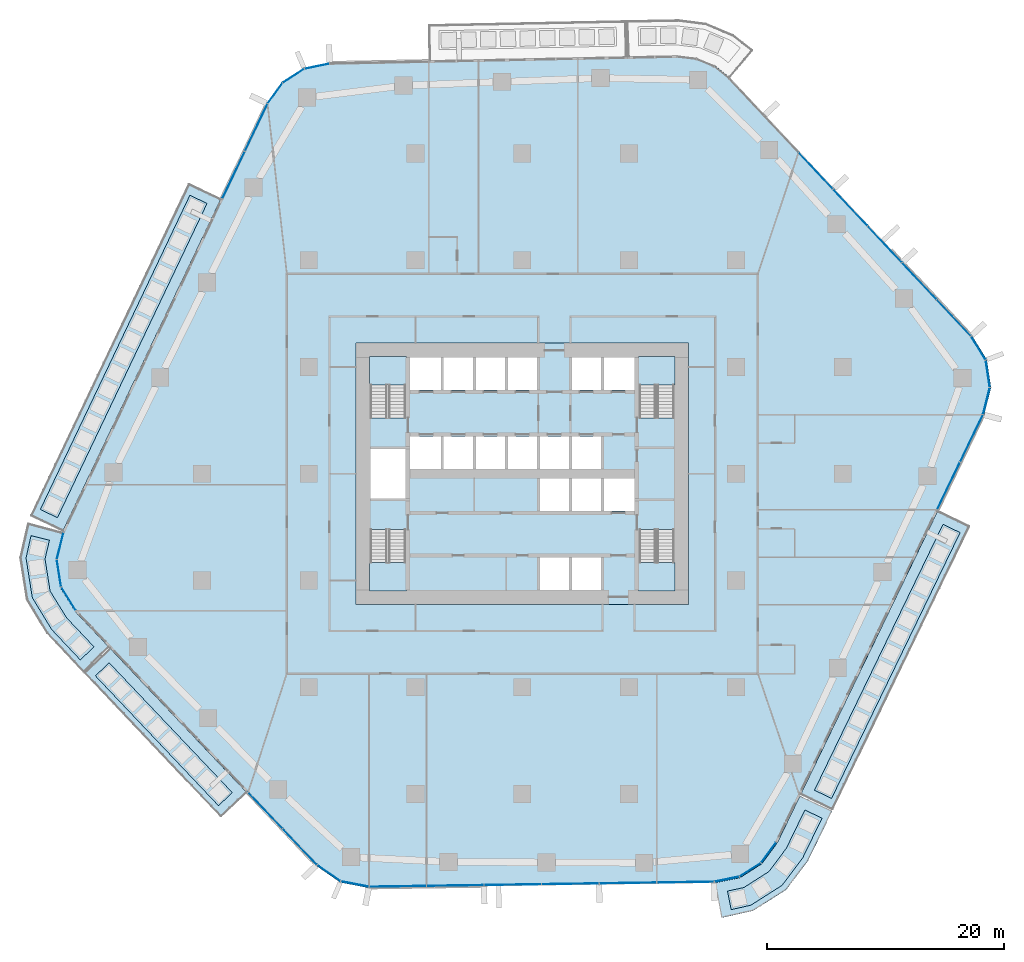
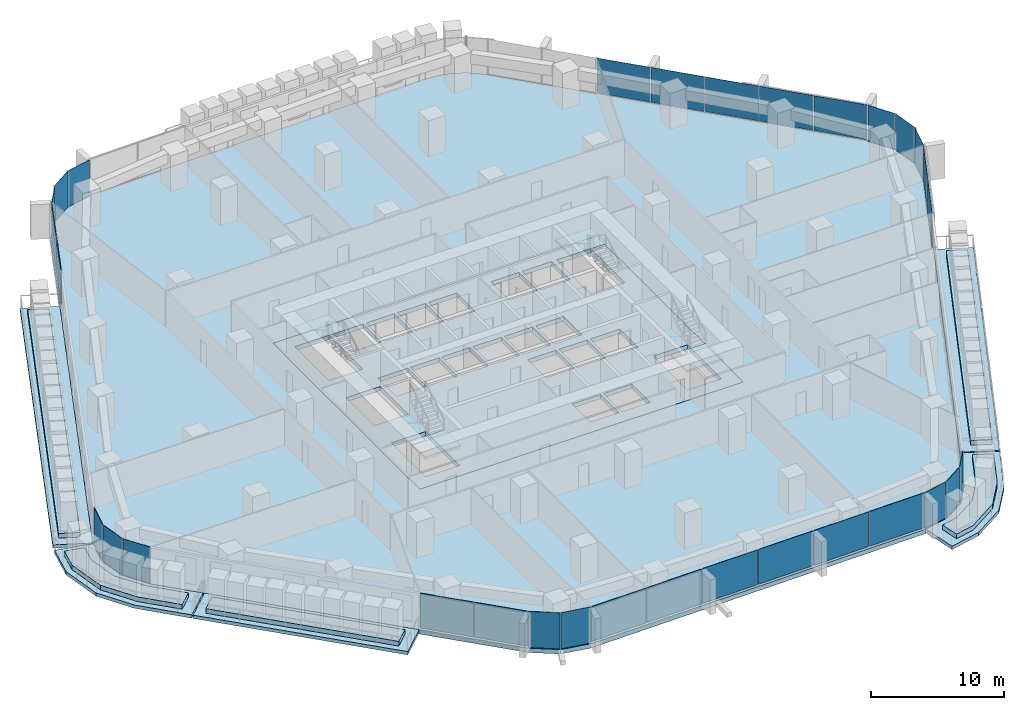
# One storey, part 10 of 24: 31 plates, 16 slabs, 14 elements without a shape of their own.
"""IFC4 building model written with IfcOpenShell, lengths in metres."""

from ifc_helpers import new_model, si_unit, direction, frame, origin, origin_2d, place, context, subcontext, project, spatial, polyline, rectangle, outline, extrude, material, layer, layer_set, type_object, element, aggregate, save


model = new_model("IFC4")

# Units and contexts
model_context = context("Model", 3, precision=1e-05, world=origin(), true_north=direction((0.0, 1.0)))
body_context = subcontext(model_context, "Body", "Model", "MODEL_VIEW")
ifc_project = project(units=[si_unit("LENGTHUNIT", "METRE"), si_unit("AREAUNIT", "SQUARE_METRE"), si_unit("VOLUMEUNIT", "CUBIC_METRE"), si_unit("PLANEANGLEUNIT", "RADIAN"), si_unit("MASSUNIT", "GRAM", prefix="KILO")], contexts=[model_context])

# Site, building, storey
site_placement = place(None, origin())
site = spatial("IfcSite", under=ifc_project, at=site_placement, CompositionType="ELEMENT")
building_placement = place(site_placement, origin())
building = spatial("IfcBuilding", under=site, at=building_placement, Name="Dongbaek Canopy Tower", CompositionType="ELEMENT")
storey_placement = place(building_placement, frame((0.0, 0.0, 47.699951171875)))
storey = spatial("IfcBuildingStorey", under=building, at=storey_placement, Name="L07", CompositionType="ELEMENT", Elevation=47.699951171875)

# Slabs
ifc_material_1 = material(Name="Concrete C40/50", Category="concrete")
ifc_layer_1 = layer(ifc_material_1, 0.300048828125)
ifc_layer_set_1 = layer_set([ifc_layer_1], Name="Balcony slab 300")
slab_type_1 = type_object("IfcSlabType", Name="Balcony slab 300", PredefinedType="FLOOR", material=ifc_layer_set_1)
slab_1_placement = place(storey_placement, frame((0.0, 0.0, -0.300048828125)))
element("IfcSlab", 1, at=slab_1_placement, inside=storey, type_object=slab_type_1, Name="Balcony L07 2", PredefinedType="FLOOR", context=body_context, shape_type="SweptSolid", body=[
    extrude(outline(polyline([(-25.406494140625, 23.166015625), (-38.742919921875, -4.85205078125), (-41.45166015625, -3.5625), (-28.115234375, 24.455322265625), (-25.406494140625, 23.166015625)])), origin(), (0.0, 0.0, 1.0), 0.300048828125),
])
slab_2_placement = place(storey_placement, frame((0.0, 0.0, -0.300048828125)))
element("IfcSlab", 2, at=slab_2_placement, inside=storey, type_object=slab_type_1, Name="Balcony L07 3", PredefinedType="FLOOR", context=body_context, shape_type="SweptSolid", body=[
    extrude(outline(polyline([(-34.761962890625, -14.703125), (-23.21435546875, -26.880615234375), (-25.391357421875, -28.945068359375), (-36.93896484375, -16.767333984375), (-34.761962890625, -14.703125)])), origin(), (0.0, 0.0, 1.0), 0.300048828125),
])
slab_3_placement = place(storey_placement, frame((0.0, 0.0, -0.300048828125)))
element("IfcSlab", 3, at=slab_3_placement, inside=storey, type_object=slab_type_1, Name="Balcony L07 6", PredefinedType="FLOOR", context=body_context, shape_type="SweptSolid", body=[
    extrude(outline(polyline([(-38.7763671875, -4.945556640625), (-39.341064453125, -7.216552734375), (-38.966796875, -9.5771484375), (-37.700439453125, -11.6044921875), (-34.830810546875, -14.630615234375), (-37.0078125, -16.69482421875), (-40.072998046875, -13.4404296875), (-41.77685546875, -10.6279296875), (-42.33837890625, -7.0869140625), (-41.687744140625, -4.2216796875), (-38.7763671875, -4.945556640625)])), origin(), (0.0, 0.0, 1.0), 0.300048828125),
])
slab_4_placement = place(storey_placement, frame((0.0, 0.0, -0.300048828125)))
element("IfcSlab", 4, at=slab_4_placement, inside=storey, type_object=slab_type_1, Name="Balcony L07 4", PredefinedType="FLOOR", context=body_context, shape_type="SweptSolid", body=[
    extrude(outline(polyline([(23.449462890625, -27.0498046875), (35.02197265625, -3.111572265625), (37.722900390625, -4.41748046875), (26.150390625, -28.35546875), (23.449462890625, -27.0498046875)])), origin(), (0.0, 0.0, 1.0), 0.300048828125),
])
slab_5_placement = place(storey_placement, frame((0.0, 0.0, -0.300048828125)))
element("IfcSlab", 5, at=slab_5_placement, inside=storey, type_object=slab_type_1, Name="Balcony L07 7", PredefinedType="FLOOR", context=body_context, shape_type="SweptSolid", body=[
    extrude(outline(polyline([(16.2265625, -34.4775390625), (18.333251953125, -34.052734375), (20.187744140625, -32.870361328125), (21.49169921875, -31.099365234375), (23.406005859375, -27.1396484375), (26.10693359375, -28.445556640625), (24.06103515625, -32.648193359375), (22.23681640625, -35.061767578125), (19.455078125, -36.8349609375), (16.8193359375, -37.418212890625), (16.2265625, -34.4775390625)])), origin(), (0.0, 0.0, 1.0), 0.300048828125),
])

# Curtain wall, plates
ifc_material_2 = material(Name="Aluminium 6063-T6 pale anodised", Category="aluminium")
ifc_layer_2 = layer(ifc_material_2, 0.199951171875)
ifc_layer_set_2 = layer_set([ifc_layer_2], Name="CW-1 unitised tower curtain wall")
curtain_wall_type = type_object("IfcCurtainWallType", Name="CW-1 unitised tower curtain wall", PredefinedType="NOTDEFINED", material=ifc_layer_set_2)
curtain_wall_1_placement = place(storey_placement, origin())
curtain_wall_1 = element("IfcCurtainWall", 6, at=curtain_wall_1_placement, inside=storey, type_object=curtain_wall_type, Name="CW-1 curtain wall K0.1", PredefinedType="NOTDEFINED")
ifc_material_3 = material(Name="Clear laminated glass", Category="glass")
ifc_layer_3 = layer(ifc_material_3, 0.028076171875)
ifc_layer_set_3 = layer_set([ifc_layer_3], Name="CW-1 glazed panel 28")
plate_type = type_object("IfcPlateType", Name="CW-1 glazed panel 28", PredefinedType="CURTAIN_PANEL", material=ifc_layer_set_3)
plate_1_placement = place(storey_placement, frame((39.113037109375, 6.12109375, 0.0), z_axis=(0.0, 0.0, 1.0), x_axis=(0.247106006298, 0.968988452796, 0.0)))
plate_1 = element("IfcPlate", 7, at=plate_1_placement, type_object=plate_type, Name="CW-1 panel K0.1.1.1", PredefinedType="CURTAIN_PANEL", context=body_context, shape_type="SweptSolid", body=[
    extrude(rectangle(XDim=2.27685546875, YDim=0.028076171875, at=origin_2d()), origin(), (0.0, 0.0, 1.0), 3.300048828125),
])
plate_2_placement = place(storey_placement, frame((39.227294921875, 8.4267578125, 0.0), z_axis=(0.0, 0.0, 1.0), x_axis=(-0.150963855925, 0.988539283086, 0.0)))
plate_2 = element("IfcPlate", 8, at=plate_2_placement, type_object=plate_type, Name="CW-1 panel K0.1.2.1", PredefinedType="CURTAIN_PANEL", context=body_context, shape_type="SweptSolid", body=[
    extrude(rectangle(XDim=2.2666015625, YDim=0.028076171875, at=origin_2d()), origin(), (0.0, 0.0, 1.0), 3.300048828125),
])
plate_3_placement = place(storey_placement, frame((38.43017578125, 10.59326171875, 0.0), z_axis=(0.0, 0.0, 1.0), x_axis=(-0.525054339964, 0.851068704679, 0.0)))
plate_3 = element("IfcPlate", 9, at=plate_3_placement, type_object=plate_type, Name="CW-1 panel K0.1.3.1", PredefinedType="CURTAIN_PANEL", context=body_context, shape_type="SweptSolid", body=[
    extrude(rectangle(XDim=2.27685546875, YDim=0.028076171875, at=origin_2d()), origin(), (0.0, 0.0, 1.0), 3.300048828125),
])
aggregate(curtain_wall_1, [plate_1, plate_2, plate_3])

curtain_wall_2_placement = place(storey_placement, origin())
curtain_wall_2 = element("IfcCurtainWall", 10, at=curtain_wall_2_placement, inside=storey, type_object=curtain_wall_type, Name="CW-1 curtain wall F0.1", PredefinedType="NOTDEFINED")
plate_4_placement = place(storey_placement, frame((36.3603515625, 13.143798828125, 0.1201171875), z_axis=(0.0, 0.0, 1.0), x_axis=(-0.684120242484, 0.729369243815, 0.0)))
plate_4 = element("IfcPlate", 11, at=plate_4_placement, type_object=plate_type, Name="CW-1 panel F0.1.1.1", PredefinedType="CURTAIN_PANEL", context=body_context, shape_type="SweptSolid", body=[
    extrude(rectangle(XDim=4.15478515625, YDim=0.028076171875, at=origin_2d()), origin(), (0.0, 0.0, 1.0), 3.179931640625),
])
plate_5_placement = place(storey_placement, frame((33.45703125, 16.239013671875, 0.1201171875), z_axis=(0.0, 0.0, 1.0), x_axis=(-0.684120242484, 0.729369243815, 0.0)))
plate_5 = element("IfcPlate", 12, at=plate_5_placement, type_object=plate_type, Name="CW-1 panel F0.1.2.1", PredefinedType="CURTAIN_PANEL", context=body_context, shape_type="SweptSolid", body=[
    extrude(rectangle(XDim=4.164794921875, YDim=0.028076171875, at=origin_2d()), origin(), (0.0, 0.0, 1.0), 3.179931640625),
])
plate_6_placement = place(storey_placement, frame((30.55029296875, 19.338134765625, 0.1201171875), z_axis=(0.0, 0.0, 1.0), x_axis=(-0.684120242484, 0.729369243815, 0.0)))
plate_6 = element("IfcPlate", 13, at=plate_6_placement, type_object=plate_type, Name="CW-1 panel F0.1.3.1", PredefinedType="CURTAIN_PANEL", context=body_context, shape_type="SweptSolid", body=[
    extrude(rectangle(XDim=4.164794921875, YDim=0.028076171875, at=origin_2d()), origin(), (0.0, 0.0, 1.0), 3.179931640625),
])
plate_7_placement = place(storey_placement, frame((27.6435546875, 22.43701171875, 0.1201171875), z_axis=(0.0, 0.0, 1.0), x_axis=(-0.684120242484, 0.729369243815, 0.0)))
plate_7 = element("IfcPlate", 14, at=plate_7_placement, type_object=plate_type, Name="CW-1 panel F0.1.4.1", PredefinedType="CURTAIN_PANEL", context=body_context, shape_type="SweptSolid", body=[
    extrude(rectangle(XDim=4.164794921875, YDim=0.028076171875, at=origin_2d()), origin(), (0.0, 0.0, 1.0), 3.179931640625),
])
plate_8_placement = place(storey_placement, frame((24.73681640625, 25.5361328125, 0.1201171875), z_axis=(0.0, 0.0, 1.0), x_axis=(-0.684120242484, 0.729369243815, 0.0)))
plate_8 = element("IfcPlate", 15, at=plate_8_placement, type_object=plate_type, Name="CW-1 panel F0.1.5.1", PredefinedType="CURTAIN_PANEL", context=body_context, shape_type="SweptSolid", body=[
    extrude(rectangle(XDim=4.164794921875, YDim=0.028076171875, at=origin_2d()), origin(), (0.0, 0.0, 1.0), 3.179931640625),
])
aggregate(curtain_wall_2, [plate_4, plate_5, plate_6, plate_7, plate_8])

curtain_wall_3_placement = place(storey_placement, origin())
curtain_wall_3 = element("IfcCurtainWall", 16, at=curtain_wall_3_placement, inside=storey, type_object=curtain_wall_type, Name="CW-1 curtain wall K2.1", PredefinedType="NOTDEFINED")
plate_9_placement = place(storey_placement, frame((-17.31689453125, 34.341796875, 0.0), z_axis=(0.0, 0.0, 1.0), x_axis=(-0.979190682113, -0.202942376216, 0.0)))
plate_9 = element("IfcPlate", 17, at=plate_9_placement, type_object=plate_type, Name="CW-1 panel K2.1.1.1", PredefinedType="CURTAIN_PANEL", context=body_context, shape_type="SweptSolid", body=[
    extrude(rectangle(XDim=2.0888671875, YDim=0.028076171875, at=origin_2d()), origin(), (0.0, 0.0, 1.0), 3.300048828125),
])
plate_10_placement = place(storey_placement, frame((-19.289306640625, 33.53466796875, 0.0), z_axis=(0.0, 0.0, 1.0), x_axis=(-0.840152741628, -0.542349860086, 0.0)))
plate_10 = element("IfcPlate", 18, at=plate_10_placement, type_object=plate_type, Name="CW-1 panel K2.1.2.1", PredefinedType="CURTAIN_PANEL", context=body_context, shape_type="SweptSolid", body=[
    extrude(rectangle(XDim=2.079345703125, YDim=0.028076171875, at=origin_2d()), origin(), (0.0, 0.0, 1.0), 3.300048828125),
])
plate_11_placement = place(storey_placement, frame((-20.837158203125, 32.0693359375, 0.0), z_axis=(0.0, 0.0, 1.0), x_axis=(-0.58808990222, -0.808795565583, 0.0)))
plate_11 = element("IfcPlate", 19, at=plate_11_placement, type_object=plate_type, Name="CW-1 panel K2.1.3.1", PredefinedType="CURTAIN_PANEL", context=body_context, shape_type="SweptSolid", body=[
    extrude(rectangle(XDim=2.0888671875, YDim=0.028076171875, at=origin_2d()), origin(), (0.0, 0.0, 1.0), 3.300048828125),
])
aggregate(curtain_wall_3, [plate_9, plate_10, plate_11])

curtain_wall_4_placement = place(storey_placement, origin())
curtain_wall_4 = element("IfcCurtainWall", 20, at=curtain_wall_4_placement, inside=storey, type_object=curtain_wall_type, Name="CW-1 curtain wall F2.1", PredefinedType="NOTDEFINED")
plate_12_placement = place(storey_placement, frame((-22.4296875, 29.18701171875, 0.1201171875), z_axis=(0.0, 0.0, 1.0), x_axis=(-0.429790128796, -0.902928815129, 0.0)))
plate_12 = element("IfcPlate", 21, at=plate_12_placement, type_object=plate_type, Name="CW-1 panel F2.1.1.1", PredefinedType="CURTAIN_PANEL", context=body_context, shape_type="SweptSolid", body=[
    extrude(rectangle(XDim=4.35400390625, YDim=0.028076171875, at=origin_2d()), origin(), (0.0, 0.0, 1.0), 3.179931640625),
])
plate_13_placement = place(storey_placement, frame((-24.339111328125, 25.17578125, 0.1201171875), z_axis=(0.0, 0.0, 1.0), x_axis=(-0.429790128796, -0.902928815129, 0.0)))
plate_13 = element("IfcPlate", 22, at=plate_13_placement, type_object=plate_type, Name="CW-1 panel F2.1.2.1", PredefinedType="CURTAIN_PANEL", context=body_context, shape_type="SweptSolid", body=[
    extrude(rectangle(XDim=4.363037109375, YDim=0.028076171875, at=origin_2d()), origin(), (0.0, 0.0, 1.0), 3.179931640625),
])
aggregate(curtain_wall_4, [plate_12, plate_13])

curtain_wall_5_placement = place(storey_placement, origin())
curtain_wall_5 = element("IfcCurtainWall", 23, at=curtain_wall_5_placement, inside=storey, type_object=curtain_wall_type, Name="CW-1 curtain wall K3.1", PredefinedType="NOTDEFINED")
plate_14_placement = place(storey_placement, frame((-38.954345703125, -6.075927734375, 0.0), z_axis=(0.0, 0.0, 1.0), x_axis=(-0.241335352072, -0.970441779727, 0.0)))
plate_14 = element("IfcPlate", 24, at=plate_14_placement, type_object=plate_type, Name="CW-1 panel K3.1.1.1", PredefinedType="CURTAIN_PANEL", context=body_context, shape_type="SweptSolid", body=[
    extrude(rectangle(XDim=2.275634765625, YDim=0.028076171875, at=origin_2d()), origin(), (0.0, 0.0, 1.0), 3.300048828125),
])
plate_15_placement = place(storey_placement, frame((-39.05517578125, -8.38134765625, 0.0), z_axis=(0.0, 0.0, 1.0), x_axis=(0.156647905474, -0.98765451131, 0.0)))
plate_15 = element("IfcPlate", 25, at=plate_15_placement, type_object=plate_type, Name="CW-1 panel K3.1.2.1", PredefinedType="CURTAIN_PANEL", context=body_context, shape_type="SweptSolid", body=[
    extrude(rectangle(XDim=2.265380859375, YDim=0.028076171875, at=origin_2d()), origin(), (0.0, 0.0, 1.0), 3.300048828125),
])
plate_16_placement = place(storey_placement, frame((-38.24609375, -10.542236328125, 0.0), z_axis=(0.0, 0.0, 1.0), x_axis=(0.52977318447, -0.848139359431, 0.0)))
plate_16 = element("IfcPlate", 26, at=plate_16_placement, type_object=plate_type, Name="CW-1 panel K3.1.3.1", PredefinedType="CURTAIN_PANEL", context=body_context, shape_type="SweptSolid", body=[
    extrude(rectangle(XDim=2.275634765625, YDim=0.028076171875, at=origin_2d()), origin(), (0.0, 0.0, 1.0), 3.300048828125),
])
aggregate(curtain_wall_5, [plate_14, plate_15, plate_16])

curtain_wall_6_placement = place(storey_placement, origin())
curtain_wall_6 = element("IfcCurtainWall", 27, at=curtain_wall_6_placement, inside=storey, type_object=curtain_wall_type, Name="CW-1 curtain wall F3.1", PredefinedType="NOTDEFINED")
plate_17_placement = place(storey_placement, frame((-21.655517578125, -28.37939453125, 0.1201171875), z_axis=(0.0, 0.0, 1.0), x_axis=(0.688088738098, -0.725626548924, 0.0)))
plate_17 = element("IfcPlate", 28, at=plate_17_placement, type_object=plate_type, Name="CW-1 panel F3.1.1.1", PredefinedType="CURTAIN_PANEL", context=body_context, shape_type="SweptSolid", body=[
    extrude(rectangle(XDim=4.136474609375, YDim=0.028076171875, at=origin_2d()), origin(), (0.0, 0.0, 1.0), 3.179931640625),
])
plate_18_placement = place(storey_placement, frame((-18.7548828125, -31.438232421875, 0.1201171875), z_axis=(0.0, 0.0, 1.0), x_axis=(0.688088738098, -0.725626548924, 0.0)))
plate_18 = element("IfcPlate", 29, at=plate_18_placement, type_object=plate_type, Name="CW-1 panel F3.1.2.1", PredefinedType="CURTAIN_PANEL", context=body_context, shape_type="SweptSolid", body=[
    extrude(rectangle(XDim=4.126220703125, YDim=0.028076171875, at=origin_2d()), origin(), (0.0, 0.0, 1.0), 3.179931640625),
])
aggregate(curtain_wall_6, [plate_17, plate_18])

curtain_wall_7_placement = place(storey_placement, origin())
curtain_wall_7 = element("IfcCurtainWall", 30, at=curtain_wall_7_placement, inside=storey, type_object=curtain_wall_type, Name="CW-1 curtain wall K4.1", PredefinedType="NOTDEFINED")
plate_19_placement = place(storey_placement, frame((-16.306884765625, -33.6572265625, 0.0), z_axis=(0.0, 0.0, 1.0), x_axis=(0.822329407338, -0.569011727319, 0.0)))
plate_19 = element("IfcPlate", 31, at=plate_19_placement, type_object=plate_type, Name="CW-1 panel K4.1.1.1", PredefinedType="CURTAIN_PANEL", context=body_context, shape_type="SweptSolid", body=[
    extrude(rectangle(XDim=2.3466796875, YDim=0.028076171875, at=origin_2d()), origin(), (0.0, 0.0, 1.0), 3.300048828125),
])
plate_20_placement = place(storey_placement, frame((-14.114501953125, -34.580810546875, 0.0), z_axis=(0.0, 0.0, 1.0), x_axis=(0.981620425648, -0.190843757955, 0.0)))
plate_20 = element("IfcPlate", 32, at=plate_20_placement, type_object=plate_type, Name="CW-1 panel K4.1.2.1", PredefinedType="CURTAIN_PANEL", context=body_context, shape_type="SweptSolid", body=[
    extrude(rectangle(XDim=2.3466796875, YDim=0.028076171875, at=origin_2d()), origin(), (0.0, 0.0, 1.0), 3.300048828125),
])
aggregate(curtain_wall_7, [plate_19, plate_20])

curtain_wall_8_placement = place(storey_placement, origin())
curtain_wall_8 = element("IfcCurtainWall", 33, at=curtain_wall_8_placement, inside=storey, type_object=curtain_wall_type, Name="CW-1 curtain wall F4.1", PredefinedType="NOTDEFINED")
plate_21_placement = place(storey_placement, frame((-10.5009765625, -34.77734375, 0.1201171875), z_axis=(0.0, 0.0, 1.0), x_axis=(0.999893139462, 0.014618811778, 0.0)))
plate_21 = element("IfcPlate", 34, at=plate_21_placement, type_object=plate_type, Name="CW-1 panel F4.1.1.1", PredefinedType="CURTAIN_PANEL", context=body_context, shape_type="SweptSolid", body=[
    extrude(rectangle(XDim=4.757568359375, YDim=0.028076171875, at=origin_2d()), origin(), (0.0, 0.0, 1.0), 3.179931640625),
])
plate_22_placement = place(storey_placement, frame((-5.65478515625, -34.70654296875, 0.1201171875), z_axis=(0.0, 0.0, 1.0), x_axis=(0.999893139462, 0.014618811778, 0.0)))
plate_22 = element("IfcPlate", 35, at=plate_22_placement, type_object=plate_type, Name="CW-1 panel F4.1.2.1", PredefinedType="CURTAIN_PANEL", context=body_context, shape_type="SweptSolid", body=[
    extrude(rectangle(XDim=4.767822265625, YDim=0.028076171875, at=origin_2d()), origin(), (0.0, 0.0, 1.0), 3.179931640625),
])
plate_23_placement = place(storey_placement, frame((-0.803466796875, -34.635498046875, 0.1201171875), z_axis=(0.0, 0.0, 1.0), x_axis=(0.999893139462, 0.014618811778, 0.0)))
plate_23 = element("IfcPlate", 36, at=plate_23_placement, type_object=plate_type, Name="CW-1 panel F4.1.3.1", PredefinedType="CURTAIN_PANEL", context=body_context, shape_type="SweptSolid", body=[
    extrude(rectangle(XDim=4.767822265625, YDim=0.028076171875, at=origin_2d()), origin(), (0.0, 0.0, 1.0), 3.179931640625),
])
plate_24_placement = place(storey_placement, frame((4.0478515625, -34.564697265625, 0.1201171875), z_axis=(0.0, 0.0, 1.0), x_axis=(0.999893139462, 0.014618811778, 0.0)))
plate_24 = element("IfcPlate", 37, at=plate_24_placement, type_object=plate_type, Name="CW-1 panel F4.1.4.1", PredefinedType="CURTAIN_PANEL", context=body_context, shape_type="SweptSolid", body=[
    extrude(rectangle(XDim=4.767822265625, YDim=0.028076171875, at=origin_2d()), origin(), (0.0, 0.0, 1.0), 3.179931640625),
])
plate_25_placement = place(storey_placement, frame((8.899169921875, -34.49365234375, 0.1201171875), z_axis=(0.0, 0.0, 1.0), x_axis=(0.999893139462, 0.014618811778, 0.0)))
plate_25 = element("IfcPlate", 38, at=plate_25_placement, type_object=plate_type, Name="CW-1 panel F4.1.5.1", PredefinedType="CURTAIN_PANEL", context=body_context, shape_type="SweptSolid", body=[
    extrude(rectangle(XDim=4.767822265625, YDim=0.028076171875, at=origin_2d()), origin(), (0.0, 0.0, 1.0), 3.179931640625),
])
plate_26_placement = place(storey_placement, frame((13.745849609375, -34.4228515625, 0.1201171875), z_axis=(0.0, 0.0, 1.0), x_axis=(0.999893139462, 0.014618811778, 0.0)))
plate_26 = element("IfcPlate", 39, at=plate_26_placement, type_object=plate_type, Name="CW-1 panel F4.1.6.1", PredefinedType="CURTAIN_PANEL", context=body_context, shape_type="SweptSolid", body=[
    extrude(rectangle(XDim=4.758544921875, YDim=0.028076171875, at=origin_2d()), origin(), (0.0, 0.0, 1.0), 3.179931640625),
])
aggregate(curtain_wall_8, [plate_21, plate_22, plate_23, plate_24, plate_25, plate_26])

curtain_wall_9_placement = place(storey_placement, origin())
curtain_wall_9 = element("IfcCurtainWall", 40, at=curtain_wall_9_placement, inside=storey, type_object=curtain_wall_type, Name="CW-1 curtain wall K5.1", PredefinedType="NOTDEFINED")
plate_27_placement = place(storey_placement, frame((17.23095703125, -34.1728515625, 0.0), z_axis=(0.0, 0.0, 1.0), x_axis=(0.980278506485, 0.19762097491, 0.0)))
plate_27 = element("IfcPlate", 41, at=plate_27_placement, type_object=plate_type, Name="CW-1 panel K5.1.1.1", PredefinedType="CURTAIN_PANEL", context=body_context, shape_type="SweptSolid", body=[
    extrude(rectangle(XDim=2.08740234375, YDim=0.028076171875, at=origin_2d()), origin(), (0.0, 0.0, 1.0), 3.300048828125),
])
plate_28_placement = place(storey_placement, frame((19.206787109375, -33.377197265625, 0.0), z_axis=(0.0, 0.0, 1.0), x_axis=(0.843219122393, 0.53757000626, 0.0)))
plate_28 = element("IfcPlate", 42, at=plate_28_placement, type_object=plate_type, Name="CW-1 panel K5.1.2.1", PredefinedType="CURTAIN_PANEL", context=body_context, shape_type="SweptSolid", body=[
    extrude(rectangle(XDim=2.077880859375, YDim=0.028076171875, at=origin_2d()), origin(), (0.0, 0.0, 1.0), 3.300048828125),
])
plate_29_placement = place(storey_placement, frame((20.761962890625, -31.921875, 0.0), z_axis=(0.0, 0.0, 1.0), x_axis=(0.592872727538, 0.805296174673, 0.0)))
plate_29 = element("IfcPlate", 43, at=plate_29_placement, type_object=plate_type, Name="CW-1 panel K5.1.3.1", PredefinedType="CURTAIN_PANEL", context=body_context, shape_type="SweptSolid", body=[
    extrude(rectangle(XDim=2.08740234375, YDim=0.028076171875, at=origin_2d()), origin(), (0.0, 0.0, 1.0), 3.300048828125),
])
aggregate(curtain_wall_9, [plate_27, plate_28, plate_29])

curtain_wall_10_placement = place(storey_placement, origin())
curtain_wall_10 = element("IfcCurtainWall", 44, at=curtain_wall_10_placement, inside=storey, type_object=curtain_wall_type, Name="CW-1 curtain wall F5.1", PredefinedType="NOTDEFINED")
plate_30_placement = place(storey_placement, frame((35.921630859375, -1.020751953125, 0.1201171875), z_axis=(0.0, 0.0, 1.0), x_axis=(0.435244979817, 0.900312061201, 0.0)))
plate_30 = element("IfcPlate", 45, at=plate_30_placement, type_object=plate_type, Name="CW-1 panel F5.1.1.1", PredefinedType="CURTAIN_PANEL", context=body_context, shape_type="SweptSolid", body=[
    extrude(rectangle(XDim=4.364013671875, YDim=0.028076171875, at=origin_2d()), origin(), (0.0, 0.0, 1.0), 3.179931640625),
])
plate_31_placement = place(storey_placement, frame((37.85546875, 2.9794921875, 0.1201171875), z_axis=(0.0, 0.0, 1.0), x_axis=(0.435244979817, 0.900312061201, 0.0)))
plate_31 = element("IfcPlate", 46, at=plate_31_placement, type_object=plate_type, Name="CW-1 panel F5.1.2.1", PredefinedType="CURTAIN_PANEL", context=body_context, shape_type="SweptSolid", body=[
    extrude(rectangle(XDim=4.35400390625, YDim=0.028076171875, at=origin_2d()), origin(), (0.0, 0.0, 1.0), 3.179931640625),
])
aggregate(curtain_wall_10, [plate_30, plate_31])

# Slab
ifc_material_4 = material(Name="Concrete C40/50", Category="concrete")
ifc_layer_4 = layer(ifc_material_4, 0.39990234375)
ifc_layer_set_4 = layer_set([ifc_layer_4], Name="Core floor slab 400 Concrete C40/50")
slab_type_2 = type_object("IfcSlabType", Name="Core floor slab 400 Concrete C40/50", PredefinedType="FLOOR", material=ifc_layer_set_4)
slab_6_placement = place(storey_placement, frame((0.0, 0.0, -0.39990234375)))
element("IfcSlab", 47, at=slab_6_placement, inside=storey, type_object=slab_type_2, Name="Core floor slab L07", PredefinedType="FLOOR", context=body_context, shape_type="SweptSolid", body=[
    extrude(outline(polyline([(14.0, -11.0), (14.0, 11.0), (-14.0, 11.0), (-14.0, -11.0), (14.0, -11.0)]), holes=[polyline([(-12.800048828125, 2.10009765625), (-9.85009765625, 2.10009765625), (-9.85009765625, -2.10009765625), (-12.800048828125, -2.10009765625), (-12.800048828125, 2.10009765625)]), polyline([(-6.875, 9.800048828125), (-6.875, 7.074951171875), (-9.449951171875, 7.074951171875), (-9.449951171875, 9.800048828125), (-6.875, 9.800048828125)]), polyline([(-4.175048828125, 9.800048828125), (-4.175048828125, 7.074951171875), (-6.625, 7.074951171875), (-6.625, 9.800048828125), (-4.175048828125, 9.800048828125)]), polyline([(-1.47509765625, 9.800048828125), (-1.47509765625, 7.074951171875), (-3.925048828125, 7.074951171875), (-3.925048828125, 9.800048828125), (-1.47509765625, 9.800048828125)]), polyline([(1.22509765625, 9.800048828125), (1.22509765625, 7.074951171875), (-1.22509765625, 7.074951171875), (-1.22509765625, 9.800048828125), (1.22509765625, 9.800048828125)]), polyline([(6.625, 9.800048828125), (6.625, 7.074951171875), (4.175048828125, 7.074951171875), (4.175048828125, 9.800048828125), (6.625, 9.800048828125)]), polyline([(9.449951171875, 7.074951171875), (6.875, 7.074951171875), (6.875, 9.800048828125), (9.449951171875, 9.800048828125), (9.449951171875, 7.074951171875)]), polyline([(-9.449951171875, 3.125), (-6.875, 3.125), (-6.875, 0.39990234375), (-9.449951171875, 0.39990234375), (-9.449951171875, 3.125)]), polyline([(-6.625, 3.125), (-4.175048828125, 3.125), (-4.175048828125, 0.39990234375), (-6.625, 0.39990234375), (-6.625, 3.125)]), polyline([(-3.925048828125, 3.125), (-1.47509765625, 3.125), (-1.47509765625, 0.39990234375), (-3.925048828125, 0.39990234375), (-3.925048828125, 3.125)]), polyline([(-1.22509765625, 3.125), (1.22509765625, 3.125), (1.22509765625, 0.39990234375), (-1.22509765625, 0.39990234375), (-1.22509765625, 3.125)]), polyline([(1.47509765625, 0.39990234375), (1.47509765625, 3.125), (3.925048828125, 3.125), (3.925048828125, 0.39990234375), (1.47509765625, 0.39990234375)]), polyline([(4.175048828125, 0.39990234375), (4.175048828125, 3.125), (6.625, 3.125), (6.625, 0.39990234375), (4.175048828125, 0.39990234375)]), polyline([(3.925048828125, -0.39990234375), (3.925048828125, -3.125), (1.47509765625, -3.125), (1.47509765625, -0.39990234375), (3.925048828125, -0.39990234375)]), polyline([(6.625, -0.39990234375), (6.625, -3.125), (4.175048828125, -3.125), (4.175048828125, -0.39990234375), (6.625, -0.39990234375)]), polyline([(9.449951171875, -3.125), (6.875, -3.125), (6.875, -0.39990234375), (9.449951171875, -0.39990234375), (9.449951171875, -3.125)]), polyline([(1.47509765625, -9.800048828125), (1.47509765625, -7.074951171875), (3.925048828125, -7.074951171875), (3.925048828125, -9.800048828125), (1.47509765625, -9.800048828125)]), polyline([(4.175048828125, -9.800048828125), (4.175048828125, -7.074951171875), (6.625, -7.074951171875), (6.625, -9.800048828125), (4.175048828125, -9.800048828125)]), polyline([(12.800048828125, 4.70068359375), (12.800048828125, 9.800048828125), (9.85009765625, 9.800048828125), (9.85009765625, 4.70068359375), (12.800048828125, 4.70068359375)]), polyline([(-9.85009765625, 4.70068359375), (-9.85009765625, 9.800048828125), (-12.800048828125, 9.800048828125), (-12.800048828125, 4.70068359375), (-9.85009765625, 4.70068359375)]), polyline([(9.85009765625, -4.70068359375), (9.85009765625, -9.800048828125), (12.800048828125, -9.800048828125), (12.800048828125, -4.70068359375), (9.85009765625, -4.70068359375)]), polyline([(-12.800048828125, -4.70068359375), (-12.800048828125, -9.800048828125), (-9.85009765625, -9.800048828125), (-9.85009765625, -4.70068359375), (-12.800048828125, -4.70068359375)])]), origin(), (0.0, 0.0, 1.0), 0.39990234375),
])

# Stair, slab
ifc_material_5 = material(Name="Concrete C40/50", Category="concrete")
stair_type = type_object("IfcStairType", Name="Core exit stair", PredefinedType="HALF_TURN_STAIR", material=ifc_material_5)
stair_1_placement = place(storey_placement, origin())
stair_1 = element("IfcStair", 48, at=stair_1_placement, inside=storey, type_object=stair_type, Name="L07 exit stair A", PredefinedType="HALF_TURN_STAIR")
ifc_material_6 = material(Name="Concrete C40/50", Category="concrete")
ifc_layer_5 = layer(ifc_material_6, 0.199951171875)
ifc_layer_set_5 = layer_set([ifc_layer_5], Name="Core stair landing 200")
slab_type_3 = type_object("IfcSlabType", Name="Core stair landing 200", PredefinedType="LANDING", material=ifc_layer_set_5)
slab_7_placement = place(storey_placement, frame((0.0, 0.0, 1.650146484375)))
slab_7 = element("IfcSlab", 49, at=slab_7_placement, type_object=slab_type_3, Name="ST-A landing 1", PredefinedType="LANDING", context=body_context, shape_type="SweptSolid", body=[
    extrude(outline(polyline([(12.875, 7.5), (12.875, 9.875), (9.77490234375, 9.875), (9.77490234375, 7.5), (12.875, 7.5)])), origin(), (0.0, 0.0, 1.0), 0.199951171875),
])
aggregate(stair_1, [slab_7])

stair_2_placement = place(storey_placement, origin())
stair_2 = element("IfcStair", 50, at=stair_2_placement, inside=storey, type_object=stair_type, Name="L07 exit stair C", PredefinedType="HALF_TURN_STAIR")
slab_8_placement = place(storey_placement, frame((0.0, 0.0, 1.650146484375)))
slab_8 = element("IfcSlab", 51, at=slab_8_placement, type_object=slab_type_3, Name="ST-C landing 1", PredefinedType="LANDING", context=body_context, shape_type="SweptSolid", body=[
    extrude(outline(polyline([(-9.77490234375, 7.5), (-9.77490234375, 9.875), (-12.875, 9.875), (-12.875, 7.5), (-9.77490234375, 7.5)])), origin(), (0.0, 0.0, 1.0), 0.199951171875),
])
aggregate(stair_2, [slab_8])

stair_3_placement = place(storey_placement, origin())
stair_3 = element("IfcStair", 52, at=stair_3_placement, inside=storey, type_object=stair_type, Name="L07 exit stair B", PredefinedType="HALF_TURN_STAIR")
slab_9_placement = place(storey_placement, frame((0.0, 0.0, 1.650146484375)))
slab_9 = element("IfcSlab", 53, at=slab_9_placement, type_object=slab_type_3, Name="ST-B landing 1", PredefinedType="LANDING", context=body_context, shape_type="SweptSolid", body=[
    extrude(outline(polyline([(9.77490234375, -7.5), (9.77490234375, -9.875), (12.875, -9.875), (12.875, -7.5), (9.77490234375, -7.5)])), origin(), (0.0, 0.0, 1.0), 0.199951171875),
])
aggregate(stair_3, [slab_9])

stair_4_placement = place(storey_placement, origin())
stair_4 = element("IfcStair", 54, at=stair_4_placement, inside=storey, type_object=stair_type, Name="L07 exit stair D", PredefinedType="HALF_TURN_STAIR")
slab_10_placement = place(storey_placement, frame((0.0, 0.0, 1.650146484375)))
slab_10 = element("IfcSlab", 55, at=slab_10_placement, type_object=slab_type_3, Name="ST-D landing 1", PredefinedType="LANDING", context=body_context, shape_type="SweptSolid", body=[
    extrude(outline(polyline([(-12.875, -7.5), (-12.875, -9.875), (-9.77490234375, -9.875), (-9.77490234375, -7.5), (-12.875, -7.5)])), origin(), (0.0, 0.0, 1.0), 0.199951171875),
])
aggregate(stair_4, [slab_10])

# Slabs
ifc_material_7 = material(Name="Concrete C40", Category="concrete")
ifc_layer_6 = layer(ifc_material_7, 0.39990234375)
ifc_layer_set_6 = layer_set([ifc_layer_6], Name="RC FLAT PLATE 400 Concrete C40")
slab_type_4 = type_object("IfcSlabType", Name="RC FLAT PLATE 400 Concrete C40", PredefinedType="FLOOR", material=ifc_layer_set_6)
slab_11_placement = place(storey_placement, frame((0.0, 0.0, -0.39990234375)))
element("IfcSlab", 56, at=slab_11_placement, inside=storey, type_object=slab_type_4, Name="SLAB:L07", PredefinedType="FLOOR", context=body_context, shape_type="SweptSolid", body=[
    extrude(outline(polyline([(21.49169921875, -31.099365234375), (20.187744140625, -32.870361328125), (18.33349609375, -34.052734375), (16.177490234375, -34.4873046875), (-12.930419921875, -34.912841796875), (-15.34716796875, -34.443115234375), (-17.371826171875, -33.0419921875), (-37.700439453125, -11.6044921875), (-38.966796875, -9.5771484375), (-39.34130859375, -7.216552734375), (-38.764404296875, -4.897216796875), (-21.562255859375, 31.241943359375), (-20.26806640625, 33.02197265625), (-18.419189453125, 34.21533203125), (-16.264404296875, 34.662109375), (13.047119140625, 35.24609375), (14.704345703125, 35.047119140625), (16.24267578125, 34.39892578125), (17.542724609375, 33.35205078125), (37.89013671875, 11.658935546875), (39.145751953125, 9.623779296875), (39.506591796875, 7.260009765625), (38.915771484375, 4.942626953125), (21.49169921875, -31.099365234375)]), holes=[polyline([(14.0, 11.0), (-14.0, 11.0), (-14.0, -11.0), (14.0, -11.0), (14.0, 11.0)])]), origin(), (0.0, 0.0, 1.0), 0.39990234375),
])
ifc_material_8 = material(Name="Reinforced concrete C40/50 planter box with soil", Category="concrete")
ifc_layer_7 = layer(ifc_material_8, 0.419921875)
ifc_layer_set_7 = layer_set([ifc_layer_7], Name="Terrace planter box 1600 x 420")
slab_type_5 = type_object("IfcSlabType", Name="Terrace planter box 1600 x 420", PredefinedType="USERDEFINED", material=ifc_layer_set_7)
slab_12_placement = place(storey_placement, origin())
element("IfcSlab", 57, at=slab_12_placement, inside=storey, type_object=slab_type_5, Name="Balcony planter L07 2", ObjectType="PLANTER", PredefinedType="USERDEFINED", context=body_context, shape_type="SweptSolid", body=[
    extrude(outline(polyline([(-26.575439453125, 22.781005859375), (-39.18115234375, -3.701904296875), (-40.625732421875, -3.014404296875), (-28.02001953125, 23.468505859375), (-26.575439453125, 22.781005859375)])), origin(), (0.0, 0.0, 1.0), 0.420166015625),
])
slab_13_placement = place(storey_placement, origin())
element("IfcSlab", 58, at=slab_13_placement, inside=storey, type_object=slab_type_5, Name="Balcony planter L07 3", ObjectType="PLANTER", PredefinedType="USERDEFINED", context=body_context, shape_type="SweptSolid", body=[
    extrude(outline(polyline([(-34.822998046875, -15.932373046875), (-24.445068359375, -26.876220703125), (-25.606201171875, -27.977294921875), (-35.98388671875, -17.033203125), (-34.822998046875, -15.932373046875)])), origin(), (0.0, 0.0, 1.0), 0.420166015625),
])
slab_14_placement = place(storey_placement, origin())
element("IfcSlab", 59, at=slab_14_placement, inside=storey, type_object=slab_type_5, Name="Balcony planter L07 6", ObjectType="PLANTER", PredefinedType="USERDEFINED", context=body_context, shape_type="SweptSolid", body=[
    extrude(outline(polyline([(-39.857177734375, -5.604248046875), (-40.230224609375, -7.17822265625), (-39.80029296875, -9.888916015625), (-38.404296875, -12.149169921875), (-36.095947265625, -14.58984375), (-37.2568359375, -15.69091796875), (-39.669677734375, -13.128173828125), (-41.299072265625, -10.44921875), (-41.828857421875, -7.10888671875), (-41.409912109375, -5.218017578125), (-39.857177734375, -5.604248046875)])), origin(), (0.0, 0.0, 1.0), 0.420166015625),
])
slab_15_placement = place(storey_placement, origin())
element("IfcSlab", 60, at=slab_15_placement, inside=storey, type_object=slab_type_5, Name="Balcony planter L07 4", ObjectType="PLANTER", PredefinedType="USERDEFINED", context=body_context, shape_type="SweptSolid", body=[
    extrude(outline(polyline([(24.62060546875, -26.671875), (35.453369140625, -4.26416015625), (36.893798828125, -4.960693359375), (26.061279296875, -27.3681640625), (24.62060546875, -26.671875)])), origin(), (0.0, 0.0, 1.0), 0.420166015625),
])
slab_16_placement = place(storey_placement, origin())
element("IfcSlab", 61, at=slab_16_placement, inside=storey, type_object=slab_type_5, Name="Balcony planter L07 7", ObjectType="PLANTER", PredefinedType="USERDEFINED", context=body_context, shape_type="SweptSolid", body=[
    extrude(outline(polyline([(17.28466796875, -35.172119140625), (18.666259765625, -34.878173828125), (20.795654296875, -33.5205078125), (22.25390625, -31.558837890625), (23.8154296875, -28.33740234375), (25.255859375, -29.03369140625), (23.624267578125, -32.384765625), (21.888427734375, -34.689208984375), (19.264404296875, -36.362060546875), (17.600830078125, -36.740478515625), (17.28466796875, -35.172119140625)])), origin(), (0.0, 0.0, 1.0), 0.420166015625),
])

save(model, "model.ifc")
